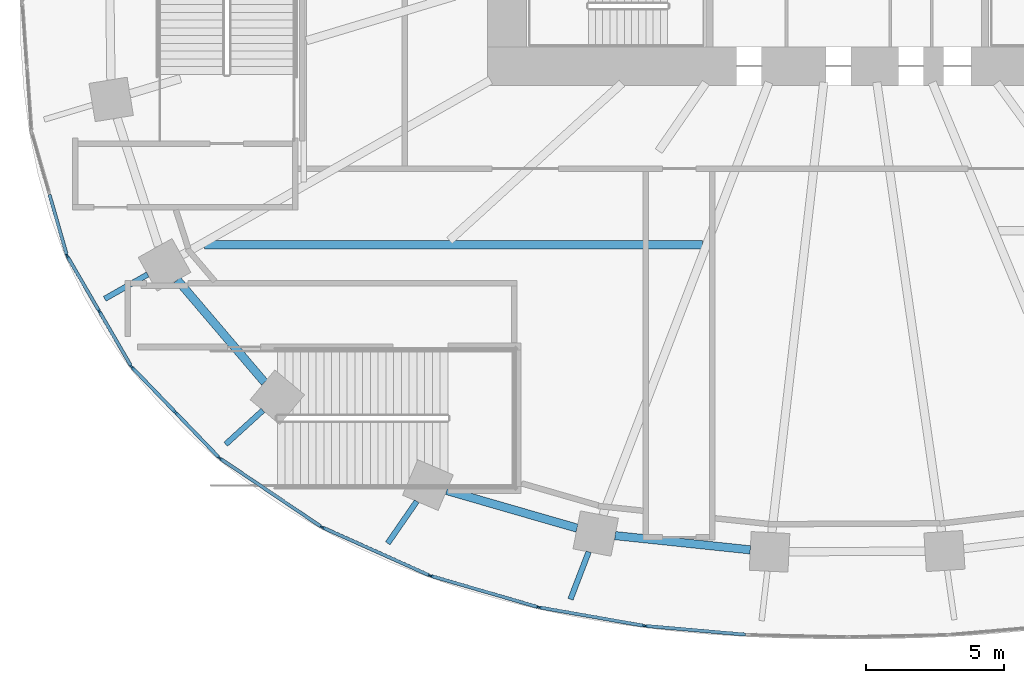
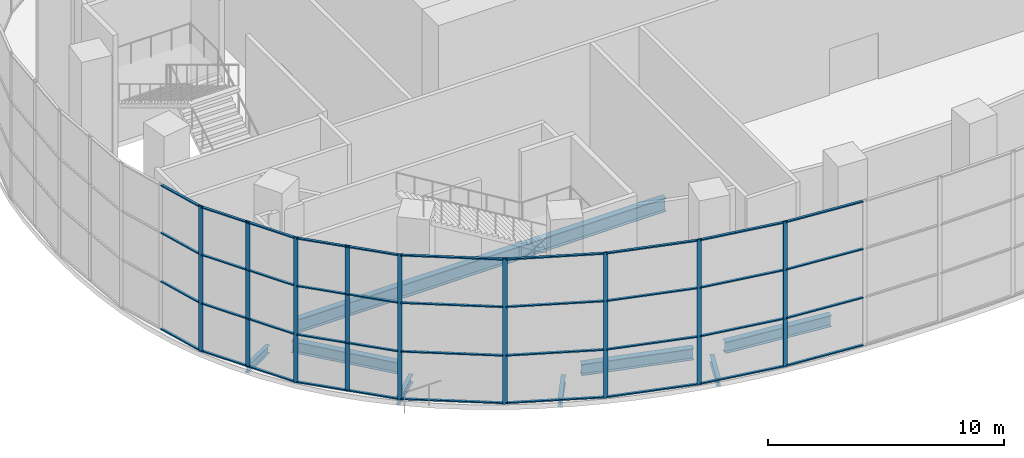
# One storey, part 2 of 22: 49 members, 8 beams, 8 elements without a shape of their own.
"""IFC4 building model written with IfcOpenShell, lengths in metres."""

from ifc_helpers import new_model, si_unit, direction, frame, origin, origin_2d, place, context, subcontext, project, spatial, rectangle, i_section, extrude, material, material_profile, profile_set, type_object, element, aggregate, save


model = new_model("IFC4")

# Units and contexts
model_context = context("Model", 3, precision=1e-05, world=origin(), true_north=direction((0.0, 1.0)))
body_context = subcontext(model_context, "Body", "Model", "MODEL_VIEW")
ifc_project = project(units=[si_unit("LENGTHUNIT", "METRE"), si_unit("AREAUNIT", "SQUARE_METRE"), si_unit("VOLUMEUNIT", "CUBIC_METRE"), si_unit("PLANEANGLEUNIT", "RADIAN"), si_unit("MASSUNIT", "GRAM", prefix="KILO")], contexts=[model_context])

# Site, building, storey
site_placement = place(None, origin())
site = spatial("IfcSite", under=ifc_project, at=site_placement, CompositionType="ELEMENT")
building_placement = place(site_placement, origin())
building = spatial("IfcBuilding", under=site, at=building_placement, Name="Rubra Terraces Tower", CompositionType="ELEMENT")
storey_placement = place(building_placement, frame((0.0, 0.0, 15.0)))
storey = spatial("IfcBuildingStorey", under=building, at=storey_placement, Name="L02", CompositionType="ELEMENT", Elevation=15.0)

# Beams
ifc_material_1 = material(Name="Steel Q355B", Category="steel")
ifc_material_profile_1 = material_profile(ifc_material_1, i_section(OverallWidth=0.199951171875, OverallDepth=0.39990234375, WebThickness=0.008056640625, FlangeThickness=0.012939453125, at=origin_2d()), Name="HN 400x200x8x13")
ifc_profile_set_1 = profile_set([ifc_material_profile_1], Name="Steel Q355B")
beam_type_1 = type_object("IfcBeamType", Name="CANTILEVER BEAM HN 400x200x8x13", PredefinedType="BEAM", material=ifc_profile_set_1)
beam_1_placement = place(storey_placement, frame((-25.284912109375, -9.827880859375, -0.449951171875), z_axis=(-0.86992838688, -0.493178062873, 0.0), x_axis=(0.493178062873, -0.86992838688, 0.0)))
element("IfcBeam", 1, at=beam_1_placement, inside=storey, type_object=beam_type_1, Name="beam-L02-cant-14", PredefinedType="BEAM", context=body_context, shape_type="SweptSolid", body=[
    extrude(i_section(OverallWidth=0.199951171875, OverallDepth=0.39990234375, WebThickness=0.008056640625, FlangeThickness=0.012939453125, at=origin_2d()), origin(), (0.0, 0.0, 1.0), 1.78662109375),
])
beam_2_placement = place(storey_placement, frame((-21.1220703125, -14.741943359375, -0.449951171875), z_axis=(-0.739575224106, -0.673073909677, 0.0), x_axis=(0.673073909677, -0.739575224106, 0.0)))
element("IfcBeam", 2, at=beam_2_placement, inside=storey, type_object=beam_type_1, Name="beam-L02-cant-15", PredefinedType="BEAM", context=body_context, shape_type="SweptSolid", body=[
    extrude(i_section(OverallWidth=0.199951171875, OverallDepth=0.39990234375, WebThickness=0.008056640625, FlangeThickness=0.012939453125, at=origin_2d()), origin(), (0.0, 0.0, 1.0), 1.817138671875),
])
beam_3_placement = place(storey_placement, frame((-15.56298828125, -18.029052734375, -0.449951171875), z_axis=(-0.568402477444, -0.822750644871, 0.0), x_axis=(0.822750644871, -0.568402477444, 0.0)))
element("IfcBeam", 3, at=beam_3_placement, inside=storey, type_object=beam_type_1, Name="beam-L02-cant-16", PredefinedType="BEAM", context=body_context, shape_type="SweptSolid", body=[
    extrude(i_section(OverallWidth=0.199951171875, OverallDepth=0.39990234375, WebThickness=0.008056640625, FlangeThickness=0.012939453125, at=origin_2d()), origin(), (0.0, 0.0, 1.0), 1.840087890625),
])
beam_4_placement = place(storey_placement, frame((-9.34912109375, -19.85498046875, -0.449951171875), z_axis=(-0.358291983639, -0.93360958353, 0.0), x_axis=(0.93360958353, -0.358291983639, 0.0)))
element("IfcBeam", 4, at=beam_4_placement, inside=storey, type_object=beam_type_1, Name="beam-L02-cant-17", PredefinedType="BEAM", context=body_context, shape_type="SweptSolid", body=[
    extrude(i_section(OverallWidth=0.199951171875, OverallDepth=0.39990234375, WebThickness=0.008056640625, FlangeThickness=0.012939453125, at=origin_2d()), origin(), (0.0, 0.0, 1.0), 1.833740234375),
])

# Curtain wall, members
ifc_material_2 = material(Name="Aluminium and glass", Category="aluminium")
curtain_wall_type = type_object("IfcCurtainWallType", Name="Curtain wall Podium glazing", PredefinedType="NOTDEFINED", material=ifc_material_2)
curtain_wall_1_placement = place(storey_placement, origin())
curtain_wall_1 = element("IfcCurtainWall", 5, at=curtain_wall_1_placement, inside=storey, type_object=curtain_wall_type, Name="L02 glazing bay 23", PredefinedType="NOTDEFINED")
ifc_material_3 = material(Name="Aluminium, anodised dark grey", Category="aluminium")
ifc_material_profile_2 = material_profile(ifc_material_3, rectangle(XDim=0.06005859375, YDim=0.199951171875, at=origin_2d()), Name="AL 60x200")
ifc_profile_set_2 = profile_set([ifc_material_profile_2], Name="Aluminium, anodised dark grey")
member_type_1 = type_object("IfcMemberType", Name="Podium glazing mullion 60 x 200", PredefinedType="MULLION", material=ifc_profile_set_2)
member_1_placement = place(storey_placement, frame((-28.18798828125, -9.17333984375, 0.0), z_axis=(0.0, 0.0, 1.0), x_axis=(0.864813011398, 0.502094070187, 0.0)))
member_1 = element("IfcMember", 6, at=member_1_placement, type_object=member_type_1, Name="CW1 mullion 1", PredefinedType="MULLION", context=body_context, shape_type="SweptSolid", body=[
    extrude(rectangle(XDim=0.06005859375, YDim=0.199951171875, at=origin_2d()), origin(), (0.0, 0.0, 1.0), 7.550048828125),
])
member_2_placement = place(storey_placement, frame((-27.0341796875, -11.160888671875, 0.0), z_axis=(0.0, 0.0, 1.0), x_axis=(0.864813011398, 0.502094070187, 0.0)))
member_2 = element("IfcMember", 7, at=member_2_placement, type_object=member_type_1, Name="CW1 mullion 2", PredefinedType="MULLION", context=body_context, shape_type="SweptSolid", body=[
    extrude(rectangle(XDim=0.06005859375, YDim=0.199951171875, at=origin_2d()), origin(), (0.0, 0.0, 1.0), 7.550048828125),
])

curtain_wall_2_placement = place(storey_placement, origin())
curtain_wall_2 = element("IfcCurtainWall", 8, at=curtain_wall_2_placement, inside=storey, type_object=curtain_wall_type, Name="L02 glazing bay 24", PredefinedType="NOTDEFINED")
member_3_placement = place(storey_placement, frame((-25.855224609375, -13.181396484375, 0.0), z_axis=(0.0, 0.0, 1.0), x_axis=(0.71982488517, 0.69415569917, 0.0)))
member_3 = element("IfcMember", 9, at=member_3_placement, type_object=member_type_1, Name="CW1 mullion 1", PredefinedType="MULLION", context=body_context, shape_type="SweptSolid", body=[
    extrude(rectangle(XDim=0.06005859375, YDim=0.199951171875, at=origin_2d()), origin(), (0.0, 0.0, 1.0), 7.550048828125),
])
member_4_placement = place(storey_placement, frame((-24.280517578125, -14.814453125, 0.0), z_axis=(0.0, 0.0, 1.0), x_axis=(0.71982488517, 0.69415569917, 0.0)))
member_4 = element("IfcMember", 10, at=member_4_placement, type_object=member_type_1, Name="CW1 mullion 2", PredefinedType="MULLION", context=body_context, shape_type="SweptSolid", body=[
    extrude(rectangle(XDim=0.06005859375, YDim=0.199951171875, at=origin_2d()), origin(), (0.0, 0.0, 1.0), 7.550048828125),
])

# Curtain wall, member
curtain_wall_3_placement = place(storey_placement, origin())
curtain_wall_3 = element("IfcCurtainWall", 11, at=curtain_wall_3_placement, inside=storey, type_object=curtain_wall_type, Name="L02 glazing bay 25", PredefinedType="NOTDEFINED")
member_5_placement = place(storey_placement, frame((-22.672119140625, -16.4755859375, 0.0), z_axis=(0.0, 0.0, 1.0), x_axis=(0.55927727939, 0.828980654031, 0.0)))
member_5 = element("IfcMember", 12, at=member_5_placement, type_object=member_type_1, Name="CW1 mullion 1", PredefinedType="MULLION", context=body_context, shape_type="SweptSolid", body=[
    extrude(rectangle(XDim=0.06005859375, YDim=0.199951171875, at=origin_2d()), origin(), (0.0, 0.0, 1.0), 7.550048828125),
])

curtain_wall_4_placement = place(storey_placement, origin())
curtain_wall_4 = element("IfcCurtainWall", 13, at=curtain_wall_4_placement, inside=storey, type_object=curtain_wall_type, Name="L02 glazing bay 26", PredefinedType="NOTDEFINED")
member_6_placement = place(storey_placement, frame((-18.968017578125, -18.969970703125, 0.0), z_axis=(0.0, 0.0, 1.0), x_axis=(0.4089624427, 0.912551215254, 0.0)))
member_6 = element("IfcMember", 14, at=member_6_placement, type_object=member_type_1, Name="CW1 mullion 1", PredefinedType="MULLION", context=body_context, shape_type="SweptSolid", body=[
    extrude(rectangle(XDim=0.06005859375, YDim=0.199951171875, at=origin_2d()), origin(), (0.0, 0.0, 1.0), 7.550048828125),
])

curtain_wall_5_placement = place(storey_placement, origin())
curtain_wall_5 = element("IfcCurtainWall", 15, at=curtain_wall_5_placement, inside=storey, type_object=curtain_wall_type, Name="L02 glazing bay 27", PredefinedType="NOTDEFINED")
member_7_placement = place(storey_placement, frame((-15.05126953125, -20.721435546875, 0.0), z_axis=(0.0, 0.0, 1.0), x_axis=(0.279399200229, 0.96017502931, 0.0)))
member_7 = element("IfcMember", 16, at=member_7_placement, type_object=member_type_1, Name="CW1 mullion 1", PredefinedType="MULLION", context=body_context, shape_type="SweptSolid", body=[
    extrude(rectangle(XDim=0.06005859375, YDim=0.199951171875, at=origin_2d()), origin(), (0.0, 0.0, 1.0), 7.550048828125),
])

curtain_wall_6_placement = place(storey_placement, origin())
curtain_wall_6 = element("IfcCurtainWall", 17, at=curtain_wall_6_placement, inside=storey, type_object=curtain_wall_type, Name="L02 glazing bay 28", PredefinedType="NOTDEFINED")
member_8_placement = place(storey_placement, frame((-11.13037109375, -21.859375, 0.0), z_axis=(0.0, 0.0, 1.0), x_axis=(0.172816985997, 0.984953952909, 0.0)))
member_8 = element("IfcMember", 18, at=member_8_placement, type_object=member_type_1, Name="CW1 mullion 1", PredefinedType="MULLION", context=body_context, shape_type="SweptSolid", body=[
    extrude(rectangle(XDim=0.06005859375, YDim=0.199951171875, at=origin_2d()), origin(), (0.0, 0.0, 1.0), 7.550048828125),
])

curtain_wall_7_placement = place(storey_placement, origin())
curtain_wall_7 = element("IfcCurtainWall", 19, at=curtain_wall_7_placement, inside=storey, type_object=curtain_wall_type, Name="L02 glazing bay 29", PredefinedType="NOTDEFINED")
member_9_placement = place(storey_placement, frame((-7.306640625, -22.52783203125, 0.0), z_axis=(0.0, 0.0, 1.0), x_axis=(0.08639804595, 0.996260697637, 0.0)))
member_9 = element("IfcMember", 20, at=member_9_placement, type_object=member_type_1, Name="CW1 mullion 1", PredefinedType="MULLION", context=body_context, shape_type="SweptSolid", body=[
    extrude(rectangle(XDim=0.06005859375, YDim=0.199951171875, at=origin_2d()), origin(), (0.0, 0.0, 1.0), 7.550048828125),
])

# Curtain wall, members
curtain_wall_8_placement = place(storey_placement, origin())
curtain_wall_8 = element("IfcCurtainWall", 21, at=curtain_wall_8_placement, inside=storey, type_object=curtain_wall_type, Name="L02 glazing bay 22", PredefinedType="NOTDEFINED")
ifc_material_profile_3 = material_profile(ifc_material_3, rectangle(XDim=0.1201171875, YDim=0.06005859375, at=origin_2d()), Name="AL 120x60")
ifc_profile_set_3 = profile_set([ifc_material_profile_3], Name="Aluminium, anodised dark grey")
member_type_2 = type_object("IfcMemberType", Name="Podium glazing transom 120 x 60", PredefinedType="USERDEFINED", material=ifc_profile_set_3)
member_10_placement = place(storey_placement, frame((-28.835205078125, -6.941650390625, 0.06005859375), z_axis=(0.276452561882, -0.961027565177, 0.0), x_axis=(0.961027565177, 0.276452561882, 0.0)))
member_10 = element("IfcMember", 22, at=member_10_placement, type_object=member_type_2, Name="CW1 transom 2.1", ObjectType="TRANSOM", PredefinedType="USERDEFINED", context=body_context, shape_type="SweptSolid", body=[
    extrude(rectangle(XDim=0.1201171875, YDim=0.06005859375, at=origin_2d()), origin(), (0.0, 0.0, 1.0), 2.2529296875),
])
member_11_placement = place(storey_placement, frame((-28.835205078125, -6.941650390625, 2.5166015625), z_axis=(0.276452561882, -0.961027565177, 0.0), x_axis=(0.961027565177, 0.276452561882, 0.0)))
member_11 = element("IfcMember", 23, at=member_11_placement, type_object=member_type_2, Name="CW1 transom 2.2", ObjectType="TRANSOM", PredefinedType="USERDEFINED", context=body_context, shape_type="SweptSolid", body=[
    extrude(rectangle(XDim=0.1201171875, YDim=0.06005859375, at=origin_2d()), origin(), (0.0, 0.0, 1.0), 2.2529296875),
])
member_12_placement = place(storey_placement, frame((-28.835205078125, -6.941650390625, 5.033203125), z_axis=(0.276452561882, -0.961027565177, 0.0), x_axis=(0.961027565177, 0.276452561882, 0.0)))
member_12 = element("IfcMember", 24, at=member_12_placement, type_object=member_type_2, Name="CW1 transom 2.3", ObjectType="TRANSOM", PredefinedType="USERDEFINED", context=body_context, shape_type="SweptSolid", body=[
    extrude(rectangle(XDim=0.1201171875, YDim=0.06005859375, at=origin_2d()), origin(), (0.0, 0.0, 1.0), 2.2529296875),
])
member_13_placement = place(storey_placement, frame((-28.835205078125, -6.941650390625, 7.489990234375), z_axis=(0.276452561882, -0.961027565177, 0.0), x_axis=(0.961027565177, 0.276452561882, 0.0)))
member_13 = element("IfcMember", 25, at=member_13_placement, type_object=member_type_2, Name="CW1 transom 2.4", ObjectType="TRANSOM", PredefinedType="USERDEFINED", context=body_context, shape_type="SweptSolid", body=[
    extrude(rectangle(XDim=0.1201171875, YDim=0.06005859375, at=origin_2d()), origin(), (0.0, 0.0, 1.0), 2.2529296875),
])
aggregate(curtain_wall_8, [member_10, member_11, member_12, member_13])

# Member
member_14_placement = place(storey_placement, frame((-28.173095703125, -9.19921875, 0.06005859375), z_axis=(0.5021881448, -0.864758386616, 0.0), x_axis=(0.864758386616, 0.5021881448, 0.0)))
member_14 = element("IfcMember", 26, at=member_14_placement, type_object=member_type_2, Name="CW1 transom 1.1", ObjectType="TRANSOM", PredefinedType="USERDEFINED", context=body_context, shape_type="SweptSolid", body=[
    extrude(rectangle(XDim=0.1201171875, YDim=0.06005859375, at=origin_2d()), origin(), (0.0, 0.0, 1.0), 2.23828125),
])

member_15_placement = place(storey_placement, frame((-28.173095703125, -9.19921875, 2.5166015625), z_axis=(0.5021881448, -0.864758386616, 0.0), x_axis=(0.864758386616, 0.5021881448, 0.0)))
member_15 = element("IfcMember", 27, at=member_15_placement, type_object=member_type_2, Name="CW1 transom 1.2", ObjectType="TRANSOM", PredefinedType="USERDEFINED", context=body_context, shape_type="SweptSolid", body=[
    extrude(rectangle(XDim=0.1201171875, YDim=0.06005859375, at=origin_2d()), origin(), (0.0, 0.0, 1.0), 2.23828125),
])

member_16_placement = place(storey_placement, frame((-28.173095703125, -9.19921875, 5.033203125), z_axis=(0.5021881448, -0.864758386616, 0.0), x_axis=(0.864758386616, 0.5021881448, 0.0)))
member_16 = element("IfcMember", 28, at=member_16_placement, type_object=member_type_2, Name="CW1 transom 1.3", ObjectType="TRANSOM", PredefinedType="USERDEFINED", context=body_context, shape_type="SweptSolid", body=[
    extrude(rectangle(XDim=0.1201171875, YDim=0.06005859375, at=origin_2d()), origin(), (0.0, 0.0, 1.0), 2.23828125),
])

member_17_placement = place(storey_placement, frame((-28.173095703125, -9.19921875, 7.489990234375), z_axis=(0.5021881448, -0.864758386616, 0.0), x_axis=(0.864758386616, 0.5021881448, 0.0)))
member_17 = element("IfcMember", 29, at=member_17_placement, type_object=member_type_2, Name="CW1 transom 1.4", ObjectType="TRANSOM", PredefinedType="USERDEFINED", context=body_context, shape_type="SweptSolid", body=[
    extrude(rectangle(XDim=0.1201171875, YDim=0.06005859375, at=origin_2d()), origin(), (0.0, 0.0, 1.0), 2.23828125),
])

member_18_placement = place(storey_placement, frame((-27.01904296875, -11.186767578125, 0.06005859375), z_axis=(0.502106569931, -0.864805754162, 0.0), x_axis=(0.864805754162, 0.502106569931, 0.0)))
member_18 = element("IfcMember", 30, at=member_18_placement, type_object=member_type_2, Name="CW1 transom 2.1", ObjectType="TRANSOM", PredefinedType="USERDEFINED", context=body_context, shape_type="SweptSolid", body=[
    extrude(rectangle(XDim=0.1201171875, YDim=0.06005859375, at=origin_2d()), origin(), (0.0, 0.0, 1.0), 2.238037109375),
])

member_19_placement = place(storey_placement, frame((-27.01904296875, -11.186767578125, 2.5166015625), z_axis=(0.502106569931, -0.864805754162, 0.0), x_axis=(0.864805754162, 0.502106569931, 0.0)))
member_19 = element("IfcMember", 31, at=member_19_placement, type_object=member_type_2, Name="CW1 transom 2.2", ObjectType="TRANSOM", PredefinedType="USERDEFINED", context=body_context, shape_type="SweptSolid", body=[
    extrude(rectangle(XDim=0.1201171875, YDim=0.06005859375, at=origin_2d()), origin(), (0.0, 0.0, 1.0), 2.238037109375),
])

member_20_placement = place(storey_placement, frame((-27.01904296875, -11.186767578125, 5.033203125), z_axis=(0.502106569931, -0.864805754162, 0.0), x_axis=(0.864805754162, 0.502106569931, 0.0)))
member_20 = element("IfcMember", 32, at=member_20_placement, type_object=member_type_2, Name="CW1 transom 2.3", ObjectType="TRANSOM", PredefinedType="USERDEFINED", context=body_context, shape_type="SweptSolid", body=[
    extrude(rectangle(XDim=0.1201171875, YDim=0.06005859375, at=origin_2d()), origin(), (0.0, 0.0, 1.0), 2.238037109375),
])

member_21_placement = place(storey_placement, frame((-27.01904296875, -11.186767578125, 7.489990234375), z_axis=(0.502106569931, -0.864805754162, 0.0), x_axis=(0.864805754162, 0.502106569931, 0.0)))
member_21 = element("IfcMember", 33, at=member_21_placement, type_object=member_type_2, Name="CW1 transom 2.4", ObjectType="TRANSOM", PredefinedType="USERDEFINED", context=body_context, shape_type="SweptSolid", body=[
    extrude(rectangle(XDim=0.1201171875, YDim=0.06005859375, at=origin_2d()), origin(), (0.0, 0.0, 1.0), 2.238037109375),
])

aggregate(curtain_wall_1, [member_1, member_2, member_14, member_15, member_16, member_17, member_18, member_19, member_20, member_21])

member_22_placement = place(storey_placement, frame((-25.83447265625, -13.203125, 0.06005859375), z_axis=(0.694223533913, -0.719759463266, 0.0), x_axis=(0.719759463266, 0.694223533913, 0.0)))
member_22 = element("IfcMember", 34, at=member_22_placement, type_object=member_type_2, Name="CW1 transom 1.1", ObjectType="TRANSOM", PredefinedType="USERDEFINED", context=body_context, shape_type="SweptSolid", body=[
    extrude(rectangle(XDim=0.1201171875, YDim=0.06005859375, at=origin_2d()), origin(), (0.0, 0.0, 1.0), 2.20849609375),
])

member_23_placement = place(storey_placement, frame((-25.83447265625, -13.203125, 2.5166015625), z_axis=(0.694223533913, -0.719759463266, 0.0), x_axis=(0.719759463266, 0.694223533913, 0.0)))
member_23 = element("IfcMember", 35, at=member_23_placement, type_object=member_type_2, Name="CW1 transom 1.2", ObjectType="TRANSOM", PredefinedType="USERDEFINED", context=body_context, shape_type="SweptSolid", body=[
    extrude(rectangle(XDim=0.1201171875, YDim=0.06005859375, at=origin_2d()), origin(), (0.0, 0.0, 1.0), 2.20849609375),
])

member_24_placement = place(storey_placement, frame((-25.83447265625, -13.203125, 5.033203125), z_axis=(0.694223533913, -0.719759463266, 0.0), x_axis=(0.719759463266, 0.694223533913, 0.0)))
member_24 = element("IfcMember", 36, at=member_24_placement, type_object=member_type_2, Name="CW1 transom 1.3", ObjectType="TRANSOM", PredefinedType="USERDEFINED", context=body_context, shape_type="SweptSolid", body=[
    extrude(rectangle(XDim=0.1201171875, YDim=0.06005859375, at=origin_2d()), origin(), (0.0, 0.0, 1.0), 2.20849609375),
])

member_25_placement = place(storey_placement, frame((-25.83447265625, -13.203125, 7.489990234375), z_axis=(0.694223533913, -0.719759463266, 0.0), x_axis=(0.719759463266, 0.694223533913, 0.0)))
member_25 = element("IfcMember", 37, at=member_25_placement, type_object=member_type_2, Name="CW1 transom 1.4", ObjectType="TRANSOM", PredefinedType="USERDEFINED", context=body_context, shape_type="SweptSolid", body=[
    extrude(rectangle(XDim=0.1201171875, YDim=0.06005859375, at=origin_2d()), origin(), (0.0, 0.0, 1.0), 2.20849609375),
])

member_26_placement = place(storey_placement, frame((-24.259765625, -14.8359375, 0.06005859375), z_axis=(0.694168299732, -0.719812733735, 0.0), x_axis=(0.719812733735, 0.694168299732, 0.0)))
member_26 = element("IfcMember", 38, at=member_26_placement, type_object=member_type_2, Name="CW1 transom 2.1", ObjectType="TRANSOM", PredefinedType="USERDEFINED", context=body_context, shape_type="SweptSolid", body=[
    extrude(rectangle(XDim=0.1201171875, YDim=0.06005859375, at=origin_2d()), origin(), (0.0, 0.0, 1.0), 2.208740234375),
])

member_27_placement = place(storey_placement, frame((-24.259765625, -14.8359375, 2.5166015625), z_axis=(0.694168299732, -0.719812733735, 0.0), x_axis=(0.719812733735, 0.694168299732, 0.0)))
member_27 = element("IfcMember", 39, at=member_27_placement, type_object=member_type_2, Name="CW1 transom 2.2", ObjectType="TRANSOM", PredefinedType="USERDEFINED", context=body_context, shape_type="SweptSolid", body=[
    extrude(rectangle(XDim=0.1201171875, YDim=0.06005859375, at=origin_2d()), origin(), (0.0, 0.0, 1.0), 2.208740234375),
])

member_28_placement = place(storey_placement, frame((-24.259765625, -14.8359375, 5.033203125), z_axis=(0.694168299732, -0.719812733735, 0.0), x_axis=(0.719812733735, 0.694168299732, 0.0)))
member_28 = element("IfcMember", 40, at=member_28_placement, type_object=member_type_2, Name="CW1 transom 2.3", ObjectType="TRANSOM", PredefinedType="USERDEFINED", context=body_context, shape_type="SweptSolid", body=[
    extrude(rectangle(XDim=0.1201171875, YDim=0.06005859375, at=origin_2d()), origin(), (0.0, 0.0, 1.0), 2.208740234375),
])

member_29_placement = place(storey_placement, frame((-24.259765625, -14.8359375, 7.489990234375), z_axis=(0.694168299732, -0.719812733735, 0.0), x_axis=(0.719812733735, 0.694168299732, 0.0)))
member_29 = element("IfcMember", 41, at=member_29_placement, type_object=member_type_2, Name="CW1 transom 2.4", ObjectType="TRANSOM", PredefinedType="USERDEFINED", context=body_context, shape_type="SweptSolid", body=[
    extrude(rectangle(XDim=0.1201171875, YDim=0.06005859375, at=origin_2d()), origin(), (0.0, 0.0, 1.0), 2.208740234375),
])

aggregate(curtain_wall_2, [member_3, member_4, member_22, member_23, member_24, member_25, member_26, member_27, member_28, member_29])

member_30_placement = place(storey_placement, frame((-22.6474609375, -16.492431640625, 0.06005859375), z_axis=(0.828996039897, -0.559254473236, 0.0), x_axis=(0.559254473236, 0.828996039897, 0.0)))
member_30 = element("IfcMember", 42, at=member_30_placement, type_object=member_type_2, Name="CW1 transom 1.1", ObjectType="TRANSOM", PredefinedType="USERDEFINED", context=body_context, shape_type="SweptSolid", body=[
    extrude(rectangle(XDim=0.1201171875, YDim=0.06005859375, at=origin_2d()), origin(), (0.0, 0.0, 1.0), 4.35888671875),
])

member_31_placement = place(storey_placement, frame((-22.6474609375, -16.492431640625, 2.5166015625), z_axis=(0.828996039897, -0.559254473236, 0.0), x_axis=(0.559254473236, 0.828996039897, 0.0)))
member_31 = element("IfcMember", 43, at=member_31_placement, type_object=member_type_2, Name="CW1 transom 1.2", ObjectType="TRANSOM", PredefinedType="USERDEFINED", context=body_context, shape_type="SweptSolid", body=[
    extrude(rectangle(XDim=0.1201171875, YDim=0.06005859375, at=origin_2d()), origin(), (0.0, 0.0, 1.0), 4.35888671875),
])

member_32_placement = place(storey_placement, frame((-22.6474609375, -16.492431640625, 5.033203125), z_axis=(0.828996039897, -0.559254473236, 0.0), x_axis=(0.559254473236, 0.828996039897, 0.0)))
member_32 = element("IfcMember", 44, at=member_32_placement, type_object=member_type_2, Name="CW1 transom 1.3", ObjectType="TRANSOM", PredefinedType="USERDEFINED", context=body_context, shape_type="SweptSolid", body=[
    extrude(rectangle(XDim=0.1201171875, YDim=0.06005859375, at=origin_2d()), origin(), (0.0, 0.0, 1.0), 4.35888671875),
])

member_33_placement = place(storey_placement, frame((-22.6474609375, -16.492431640625, 7.489990234375), z_axis=(0.828996039897, -0.559254473236, 0.0), x_axis=(0.559254473236, 0.828996039897, 0.0)))
member_33 = element("IfcMember", 45, at=member_33_placement, type_object=member_type_2, Name="CW1 transom 1.4", ObjectType="TRANSOM", PredefinedType="USERDEFINED", context=body_context, shape_type="SweptSolid", body=[
    extrude(rectangle(XDim=0.1201171875, YDim=0.06005859375, at=origin_2d()), origin(), (0.0, 0.0, 1.0), 4.35888671875),
])

aggregate(curtain_wall_3, [member_5, member_30, member_31, member_32, member_33])

member_34_placement = place(storey_placement, frame((-18.9404296875, -18.982177734375, 0.06005859375), z_axis=(0.912545396627, -0.408975426029, 0.0), x_axis=(0.408975426029, 0.912545396627, 0.0)))
member_34 = element("IfcMember", 46, at=member_34_placement, type_object=member_type_2, Name="CW1 transom 1.1", ObjectType="TRANSOM", PredefinedType="USERDEFINED", context=body_context, shape_type="SweptSolid", body=[
    extrude(rectangle(XDim=0.1201171875, YDim=0.06005859375, at=origin_2d()), origin(), (0.0, 0.0, 1.0), 4.18115234375),
])

member_35_placement = place(storey_placement, frame((-18.9404296875, -18.982177734375, 2.5166015625), z_axis=(0.912545396627, -0.408975426029, 0.0), x_axis=(0.408975426029, 0.912545396627, 0.0)))
member_35 = element("IfcMember", 47, at=member_35_placement, type_object=member_type_2, Name="CW1 transom 1.2", ObjectType="TRANSOM", PredefinedType="USERDEFINED", context=body_context, shape_type="SweptSolid", body=[
    extrude(rectangle(XDim=0.1201171875, YDim=0.06005859375, at=origin_2d()), origin(), (0.0, 0.0, 1.0), 4.18115234375),
])

member_36_placement = place(storey_placement, frame((-18.9404296875, -18.982177734375, 5.033203125), z_axis=(0.912545396627, -0.408975426029, 0.0), x_axis=(0.408975426029, 0.912545396627, 0.0)))
member_36 = element("IfcMember", 48, at=member_36_placement, type_object=member_type_2, Name="CW1 transom 1.3", ObjectType="TRANSOM", PredefinedType="USERDEFINED", context=body_context, shape_type="SweptSolid", body=[
    extrude(rectangle(XDim=0.1201171875, YDim=0.06005859375, at=origin_2d()), origin(), (0.0, 0.0, 1.0), 4.18115234375),
])

member_37_placement = place(storey_placement, frame((-18.9404296875, -18.982177734375, 7.489990234375), z_axis=(0.912545396627, -0.408975426029, 0.0), x_axis=(0.408975426029, 0.912545396627, 0.0)))
member_37 = element("IfcMember", 49, at=member_37_placement, type_object=member_type_2, Name="CW1 transom 1.4", ObjectType="TRANSOM", PredefinedType="USERDEFINED", context=body_context, shape_type="SweptSolid", body=[
    extrude(rectangle(XDim=0.1201171875, YDim=0.06005859375, at=origin_2d()), origin(), (0.0, 0.0, 1.0), 4.18115234375),
])

aggregate(curtain_wall_4, [member_6, member_34, member_35, member_36, member_37])

member_38_placement = place(storey_placement, frame((-15.0224609375, -20.729736328125, 0.06005859375), z_axis=(0.960164409194, -0.279435694422, 0.0), x_axis=(0.279435694422, 0.960164409194, 0.0)))
member_38 = element("IfcMember", 50, at=member_38_placement, type_object=member_type_2, Name="CW1 transom 1.1", ObjectType="TRANSOM", PredefinedType="USERDEFINED", context=body_context, shape_type="SweptSolid", body=[
    extrude(rectangle(XDim=0.1201171875, YDim=0.06005859375, at=origin_2d()), origin(), (0.0, 0.0, 1.0), 3.970947265625),
])

member_39_placement = place(storey_placement, frame((-15.0224609375, -20.729736328125, 2.5166015625), z_axis=(0.960164409194, -0.279435694422, 0.0), x_axis=(0.279435694422, 0.960164409194, 0.0)))
member_39 = element("IfcMember", 51, at=member_39_placement, type_object=member_type_2, Name="CW1 transom 1.2", ObjectType="TRANSOM", PredefinedType="USERDEFINED", context=body_context, shape_type="SweptSolid", body=[
    extrude(rectangle(XDim=0.1201171875, YDim=0.06005859375, at=origin_2d()), origin(), (0.0, 0.0, 1.0), 3.970947265625),
])

member_40_placement = place(storey_placement, frame((-15.0224609375, -20.729736328125, 5.033203125), z_axis=(0.960164409194, -0.279435694422, 0.0), x_axis=(0.279435694422, 0.960164409194, 0.0)))
member_40 = element("IfcMember", 52, at=member_40_placement, type_object=member_type_2, Name="CW1 transom 1.3", ObjectType="TRANSOM", PredefinedType="USERDEFINED", context=body_context, shape_type="SweptSolid", body=[
    extrude(rectangle(XDim=0.1201171875, YDim=0.06005859375, at=origin_2d()), origin(), (0.0, 0.0, 1.0), 3.970947265625),
])

member_41_placement = place(storey_placement, frame((-15.0224609375, -20.729736328125, 7.489990234375), z_axis=(0.960164409194, -0.279435694422, 0.0), x_axis=(0.279435694422, 0.960164409194, 0.0)))
member_41 = element("IfcMember", 53, at=member_41_placement, type_object=member_type_2, Name="CW1 transom 1.4", ObjectType="TRANSOM", PredefinedType="USERDEFINED", context=body_context, shape_type="SweptSolid", body=[
    extrude(rectangle(XDim=0.1201171875, YDim=0.06005859375, at=origin_2d()), origin(), (0.0, 0.0, 1.0), 3.970947265625),
])

aggregate(curtain_wall_5, [member_7, member_38, member_39, member_40, member_41])

member_42_placement = place(storey_placement, frame((-11.100830078125, -21.864501953125, 0.06005859375), z_axis=(0.984959152546, -0.172787348539, 0.0), x_axis=(0.172787348539, 0.984959152546, 0.0)))
member_42 = element("IfcMember", 54, at=member_42_placement, type_object=member_type_2, Name="CW1 transom 1.1", ObjectType="TRANSOM", PredefinedType="USERDEFINED", context=body_context, shape_type="SweptSolid", body=[
    extrude(rectangle(XDim=0.1201171875, YDim=0.06005859375, at=origin_2d()), origin(), (0.0, 0.0, 1.0), 3.768310546875),
])

member_43_placement = place(storey_placement, frame((-11.100830078125, -21.864501953125, 2.5166015625), z_axis=(0.984959152546, -0.172787348539, 0.0), x_axis=(0.172787348539, 0.984959152546, 0.0)))
member_43 = element("IfcMember", 55, at=member_43_placement, type_object=member_type_2, Name="CW1 transom 1.2", ObjectType="TRANSOM", PredefinedType="USERDEFINED", context=body_context, shape_type="SweptSolid", body=[
    extrude(rectangle(XDim=0.1201171875, YDim=0.06005859375, at=origin_2d()), origin(), (0.0, 0.0, 1.0), 3.768310546875),
])

member_44_placement = place(storey_placement, frame((-11.100830078125, -21.864501953125, 5.033203125), z_axis=(0.984959152546, -0.172787348539, 0.0), x_axis=(0.172787348539, 0.984959152546, 0.0)))
member_44 = element("IfcMember", 56, at=member_44_placement, type_object=member_type_2, Name="CW1 transom 1.3", ObjectType="TRANSOM", PredefinedType="USERDEFINED", context=body_context, shape_type="SweptSolid", body=[
    extrude(rectangle(XDim=0.1201171875, YDim=0.06005859375, at=origin_2d()), origin(), (0.0, 0.0, 1.0), 3.768310546875),
])

member_45_placement = place(storey_placement, frame((-11.100830078125, -21.864501953125, 7.489990234375), z_axis=(0.984959152546, -0.172787348539, 0.0), x_axis=(0.172787348539, 0.984959152546, 0.0)))
member_45 = element("IfcMember", 57, at=member_45_placement, type_object=member_type_2, Name="CW1 transom 1.4", ObjectType="TRANSOM", PredefinedType="USERDEFINED", context=body_context, shape_type="SweptSolid", body=[
    extrude(rectangle(XDim=0.1201171875, YDim=0.06005859375, at=origin_2d()), origin(), (0.0, 0.0, 1.0), 3.768310546875),
])

aggregate(curtain_wall_6, [member_8, member_42, member_43, member_44, member_45])

member_46_placement = place(storey_placement, frame((-7.276611328125, -22.530517578125, 0.06005859375), z_axis=(0.996262906738, -0.086372568895, 0.0), x_axis=(0.086372568895, 0.996262906738, 0.0)))
member_46 = element("IfcMember", 58, at=member_46_placement, type_object=member_type_2, Name="CW1 transom 1.1", ObjectType="TRANSOM", PredefinedType="USERDEFINED", context=body_context, shape_type="SweptSolid", body=[
    extrude(rectangle(XDim=0.1201171875, YDim=0.06005859375, at=origin_2d()), origin(), (0.0, 0.0, 1.0), 3.606689453125),
])

member_47_placement = place(storey_placement, frame((-7.276611328125, -22.530517578125, 2.5166015625), z_axis=(0.996262906738, -0.086372568895, 0.0), x_axis=(0.086372568895, 0.996262906738, 0.0)))
member_47 = element("IfcMember", 59, at=member_47_placement, type_object=member_type_2, Name="CW1 transom 1.2", ObjectType="TRANSOM", PredefinedType="USERDEFINED", context=body_context, shape_type="SweptSolid", body=[
    extrude(rectangle(XDim=0.1201171875, YDim=0.06005859375, at=origin_2d()), origin(), (0.0, 0.0, 1.0), 3.606689453125),
])

member_48_placement = place(storey_placement, frame((-7.276611328125, -22.530517578125, 5.033203125), z_axis=(0.996262906738, -0.086372568895, 0.0), x_axis=(0.086372568895, 0.996262906738, 0.0)))
member_48 = element("IfcMember", 60, at=member_48_placement, type_object=member_type_2, Name="CW1 transom 1.3", ObjectType="TRANSOM", PredefinedType="USERDEFINED", context=body_context, shape_type="SweptSolid", body=[
    extrude(rectangle(XDim=0.1201171875, YDim=0.06005859375, at=origin_2d()), origin(), (0.0, 0.0, 1.0), 3.606689453125),
])

member_49_placement = place(storey_placement, frame((-7.276611328125, -22.530517578125, 7.489990234375), z_axis=(0.996262906738, -0.086372568895, 0.0), x_axis=(0.086372568895, 0.996262906738, 0.0)))
member_49 = element("IfcMember", 61, at=member_49_placement, type_object=member_type_2, Name="CW1 transom 1.4", ObjectType="TRANSOM", PredefinedType="USERDEFINED", context=body_context, shape_type="SweptSolid", body=[
    extrude(rectangle(XDim=0.1201171875, YDim=0.06005859375, at=origin_2d()), origin(), (0.0, 0.0, 1.0), 3.606689453125),
])

aggregate(curtain_wall_7, [member_9, member_46, member_47, member_48, member_49])

# Beams
ifc_material_profile_4 = material_profile(ifc_material_1, i_section(OverallWidth=0.300048828125, OverallDepth=0.587890625, WebThickness=0.011962890625, FlangeThickness=0.02001953125, at=origin_2d()), Name="HM 588x300x12x20")
ifc_profile_set_4 = profile_set([ifc_material_profile_4], Name="Steel Q355B")
beam_type_2 = type_object("IfcBeamType", Name="SPANDREL BEAM HM 588x300x12x20", PredefinedType="SPANDREL", material=ifc_profile_set_4)
beam_5_placement = place(storey_placement, frame((-24.212890625, -10.02587890625, -0.5439453125), z_axis=(0.648447050824, -0.761259760054, 0.0), x_axis=(0.761259760054, 0.648447050824, 0.0)))
element("IfcBeam", 62, at=beam_5_placement, inside=storey, type_object=beam_type_2, Name="beam-L02-spandrel-14", PredefinedType="SPANDREL", context=body_context, shape_type="SweptSolid", body=[
    extrude(i_section(OverallWidth=0.300048828125, OverallDepth=0.587890625, WebThickness=0.011962890625, FlangeThickness=0.02001953125, at=origin_2d()), origin(), (0.0, 0.0, 1.0), 4.860595703125),
])
beam_6_placement = place(storey_placement, frame((-14.47900390625, -17.636962890625, -0.5439453125), z_axis=(0.960743980202, -0.277436487337, 0.0), x_axis=(0.277436487337, 0.960743980202, 0.0)))
element("IfcBeam", 63, at=beam_6_placement, inside=storey, type_object=beam_type_2, Name="beam-L02-spandrel-16", PredefinedType="SPANDREL", context=body_context, shape_type="SweptSolid", body=[
    extrude(i_section(OverallWidth=0.300048828125, OverallDepth=0.587890625, WebThickness=0.011962890625, FlangeThickness=0.02001953125, at=origin_2d()), origin(), (0.0, 0.0, 1.0), 4.90234375),
])
beam_7_placement = place(storey_placement, frame((-8.39501953125, -19.26611328125, -0.5439453125), z_axis=(0.994495375694, -0.104780473964, 0.0), x_axis=(0.104780473964, 0.994495375694, 0.0)))
element("IfcBeam", 64, at=beam_7_placement, inside=storey, type_object=beam_type_2, Name="beam-L02-spandrel-17", PredefinedType="SPANDREL", context=body_context, shape_type="SweptSolid", body=[
    extrude(i_section(OverallWidth=0.300048828125, OverallDepth=0.587890625, WebThickness=0.011962890625, FlangeThickness=0.02001953125, at=origin_2d()), origin(), (0.0, 0.0, 1.0), 4.9140625),
])
ifc_material_profile_5 = material_profile(ifc_material_1, i_section(OverallWidth=0.300048828125, OverallDepth=0.699951171875, WebThickness=0.012939453125, FlangeThickness=0.02392578125, at=origin_2d()), Name="HN 700x300x13x24")
ifc_profile_set_5 = profile_set([ifc_material_profile_5], Name="Steel Q355B")
beam_type_3 = type_object("IfcBeamType", Name="TRIMMER BEAM HN 700x300x13x24", PredefinedType="BEAM", material=ifc_profile_set_5)
beam_8_placement = place(storey_placement, frame((-23.23193359375, -8.75, -0.60009765625), z_axis=(1.0, 0.0, 0.0), x_axis=(0.0, 1.0, 0.0)))
element("IfcBeam", 65, at=beam_8_placement, inside=storey, type_object=beam_type_3, Name="beam-L02-header-3-yhi", PredefinedType="BEAM", context=body_context, shape_type="SweptSolid", body=[
    extrude(i_section(OverallWidth=0.300048828125, OverallDepth=0.699951171875, WebThickness=0.012939453125, FlangeThickness=0.02392578125, at=origin_2d()), origin(), (0.0, 0.0, 1.0), 17.995849609375),
])

save(model, "model.ifc")
